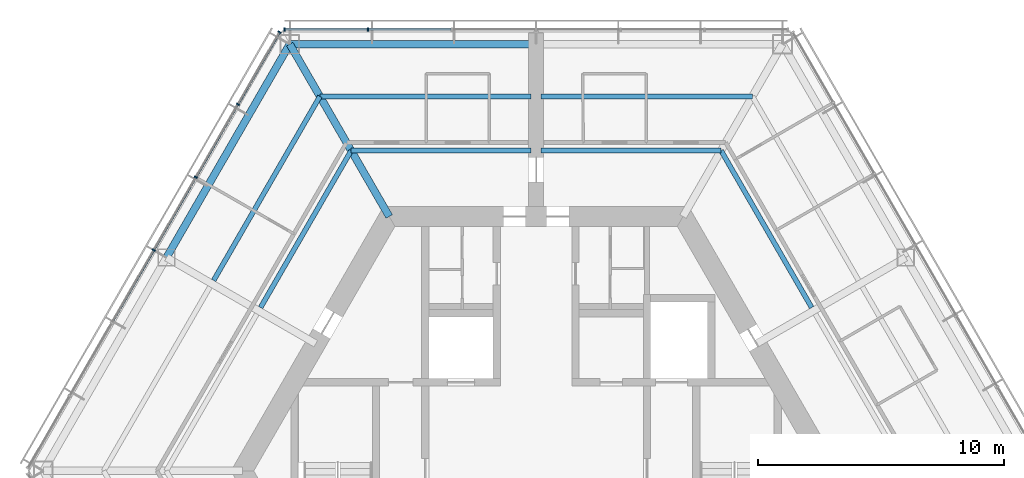
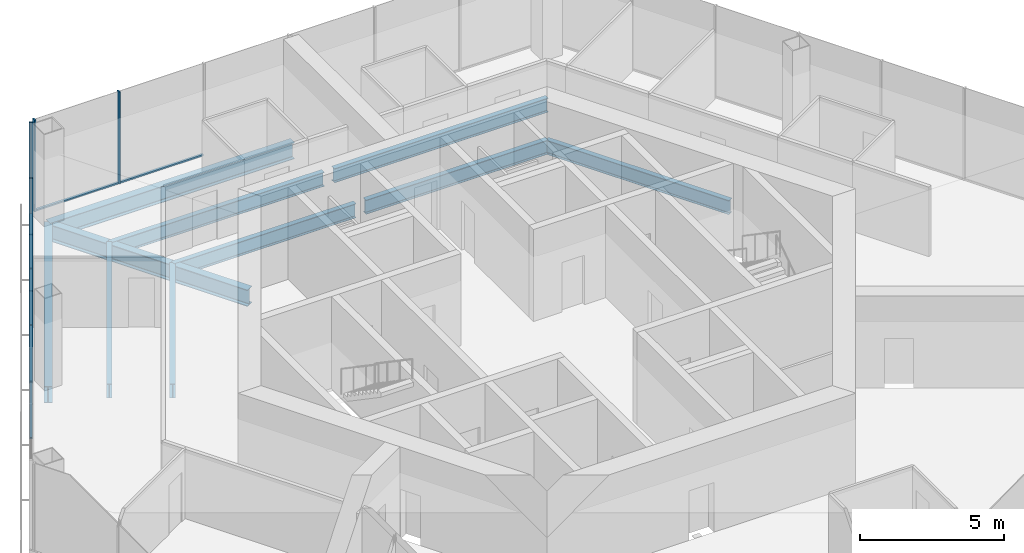
# One storey, part 6 of 15: 12 members, 10 beams, 2 elements without a shape of their own.
"""IFC4 building model written with IfcOpenShell, lengths in metres."""

from ifc_helpers import new_model, si_unit, direction, frame, origin, origin_2d, place, context, subcontext, project, spatial, rectangle, i_section, extrude, material, material_profile, profile_set, type_object, element, aggregate, save


model = new_model("IFC4")

# Units and contexts
model_context = context("Model", 3, precision=1e-05, world=origin(), true_north=direction((0.0, 1.0)))
body_context = subcontext(model_context, "Body", "Model", "MODEL_VIEW")
ifc_project = project(units=[si_unit("LENGTHUNIT", "METRE"), si_unit("AREAUNIT", "SQUARE_METRE"), si_unit("VOLUMEUNIT", "CUBIC_METRE"), si_unit("PLANEANGLEUNIT", "RADIAN"), si_unit("MASSUNIT", "GRAM", prefix="KILO")], contexts=[model_context])

# Site, building, storey
site_placement = place(None, origin())
site = spatial("IfcSite", under=ifc_project, at=site_placement, CompositionType="ELEMENT")
building_placement = place(site_placement, origin())
building = spatial("IfcBuilding", under=site, at=building_placement, Name="Kasaneha Research Tower", CompositionType="ELEMENT")
storey_placement = place(building_placement, frame((0.0, 0.0, 236.199951171875)))
storey = spatial("IfcBuildingStorey", under=building, at=storey_placement, Name="L59", CompositionType="ELEMENT", Elevation=236.199951171875)

# Beams
ifc_material_1 = material(Name="Steel SN490B", Category="steel")
ifc_material_profile_1 = material_profile(ifc_material_1, i_section(OverallWidth=0.199951171875, OverallDepth=0.60009765625, WebThickness=0.010986328125, FlangeThickness=0.01708984375, FilletRadius=0.012939453125, at=origin_2d()), Name="H-600x200x11x17")
ifc_profile_set_1 = profile_set([ifc_material_profile_1], Name="Steel SN490B")
beam_type_1 = type_object("IfcBeamType", Name="B1-3 secondary beam H-600x200x11x17", PredefinedType="JOIST", material=ifc_profile_set_1)
beam_1_placement = place(storey_placement, frame((7.505615234375, 13.0, -0.449951171875), z_axis=(0.499994443168, -0.866028611999, 0.0), x_axis=(0.866028611999, 0.499994443168, 0.0)))
element("IfcBeam", 1, at=beam_1_placement, inside=storey, type_object=beam_type_1, Name="Secondary beam RS030R1 L59", PredefinedType="JOIST", context=body_context, shape_type="SweptSolid", body=[
    extrude(i_section(OverallWidth=0.199951171875, OverallDepth=0.60009765625, WebThickness=0.010986328125, FlangeThickness=0.01708984375, FilletRadius=0.012939453125, at=origin_2d()), origin(), (0.0, 0.0, 1.0), 7.35546875),
])
beam_2_placement = place(storey_placement, frame((7.505615234375, 13.0, -0.449951171875), z_axis=(-1.0, 0.0, 0.0), x_axis=(0.0, -1.0, 0.0)))
element("IfcBeam", 2, at=beam_2_placement, inside=storey, type_object=beam_type_1, Name="Secondary beam RS090L1 L59", PredefinedType="JOIST", context=body_context, shape_type="SweptSolid", body=[
    extrude(i_section(OverallWidth=0.199951171875, OverallDepth=0.60009765625, WebThickness=0.010986328125, FlangeThickness=0.01708984375, FilletRadius=0.012939453125, at=origin_2d()), origin(), (0.0, 0.0, 1.0), 7.3056640625),
])
beam_3_placement = place(storey_placement, frame((8.775634765625, 15.199951171875, -0.449951171875), z_axis=(-1.0, 0.0, 0.0), x_axis=(0.0, -1.0, 0.0)))
element("IfcBeam", 3, at=beam_3_placement, inside=storey, type_object=beam_type_1, Name="Secondary beam RS090L2 L59", PredefinedType="JOIST", context=body_context, shape_type="SweptSolid", body=[
    extrude(i_section(OverallWidth=0.199951171875, OverallDepth=0.60009765625, WebThickness=0.010986328125, FlangeThickness=0.01708984375, FilletRadius=0.012939453125, at=origin_2d()), origin(), (0.0, 0.0, 1.0), 8.57568359375),
])
beam_4_placement = place(storey_placement, frame((-7.505615234375, 13.0, -0.449951171875), z_axis=(1.0, 0.0, 0.0), x_axis=(0.0, 1.0, 0.0)))
element("IfcBeam", 4, at=beam_4_placement, inside=storey, type_object=beam_type_1, Name="Secondary beam RS090R1 L59", PredefinedType="JOIST", context=body_context, shape_type="SweptSolid", body=[
    extrude(i_section(OverallWidth=0.199951171875, OverallDepth=0.60009765625, WebThickness=0.010986328125, FlangeThickness=0.01708984375, FilletRadius=0.012939453125, at=origin_2d()), origin(), (0.0, 0.0, 1.0), 7.3056640625),
])
beam_5_placement = place(storey_placement, frame((-8.775634765625, 15.199951171875, -0.449951171875), z_axis=(1.0, 0.0, 0.0), x_axis=(0.0, 1.0, 0.0)))
element("IfcBeam", 5, at=beam_5_placement, inside=storey, type_object=beam_type_1, Name="Secondary beam RS090R2 L59", PredefinedType="JOIST", context=body_context, shape_type="SweptSolid", body=[
    extrude(i_section(OverallWidth=0.199951171875, OverallDepth=0.60009765625, WebThickness=0.010986328125, FlangeThickness=0.01708984375, FilletRadius=0.012939453125, at=origin_2d()), origin(), (0.0, 0.0, 1.0), 8.57568359375),
])
beam_6_placement = place(storey_placement, frame((-7.505615234375, 13.0, -0.449951171875), z_axis=(-0.499994443168, -0.866028611999, 0.0), x_axis=(0.866028611999, -0.499994443168, 0.0)))
element("IfcBeam", 6, at=beam_6_placement, inside=storey, type_object=beam_type_1, Name="Secondary beam RS150L1 L59", PredefinedType="JOIST", context=body_context, shape_type="SweptSolid", body=[
    extrude(i_section(OverallWidth=0.199951171875, OverallDepth=0.60009765625, WebThickness=0.010986328125, FlangeThickness=0.01708984375, FilletRadius=0.012939453125, at=origin_2d()), origin(), (0.0, 0.0, 1.0), 7.35546875),
])
beam_7_placement = place(storey_placement, frame((-8.775634765625, 15.199951171875, -0.449951171875), z_axis=(-0.500017275495, -0.866015429543, 0.0), x_axis=(0.866015429543, -0.500017275495, 0.0)))
element("IfcBeam", 7, at=beam_7_placement, inside=storey, type_object=beam_type_1, Name="Secondary beam RS150L2 L59", PredefinedType="JOIST", context=body_context, shape_type="SweptSolid", body=[
    extrude(i_section(OverallWidth=0.199951171875, OverallDepth=0.60009765625, WebThickness=0.010986328125, FlangeThickness=0.01708984375, FilletRadius=0.012939453125, at=origin_2d()), origin(), (0.0, 0.0, 1.0), 8.625732421875),
])

# Curtain wall, members
ifc_material_2 = material(Name="Glass and aluminium", Category="aluminium")
curtain_wall_type = type_object("IfcCurtainWallType", Name="High-rise office curtain wall", PredefinedType="USERDEFINED", material=ifc_material_2)
curtain_wall_1_placement = place(storey_placement, origin())
curtain_wall_1 = element("IfcCurtainWall", 8, at=curtain_wall_1_placement, inside=storey, type_object=curtain_wall_type, Name="CW-O3 L59 run 02a", ObjectType="UNITISED CURTAIN WALL", PredefinedType="USERDEFINED")
ifc_material_3 = material(Name="Aluminium 6063-T6", Category="aluminium")
ifc_material_profile_2 = material_profile(ifc_material_3, rectangle(XDim=0.06005859375, YDim=0.139892578125, at=origin_2d()), Name="CW-O3 mullion 60x140")
ifc_profile_set_2 = profile_set([ifc_material_profile_2], Name="Aluminium 6063-T6")
member_type_1 = type_object("IfcMemberType", Name="CW-O3 mullion", PredefinedType="MULLION", material=ifc_profile_set_2)
member_1_placement = place(storey_placement, frame((-6.8310546875, 17.92041015625, 0.0), z_axis=(0.0, 0.0, 1.0), x_axis=(-1.0, 0.0, 0.0)))
member_1 = element("IfcMember", 9, at=member_1_placement, type_object=member_type_1, Name="CW-O3 mullion 6", PredefinedType="MULLION", context=body_context, shape_type="SweptSolid", body=[
    extrude(rectangle(XDim=0.06005859375, YDim=0.139892578125, at=origin_2d()), origin(), (0.0, 0.0, 1.0), 3.900146484375),
])
member_2_placement = place(storey_placement, frame((-10.21630859375, 17.92041015625, 0.0), z_axis=(0.0, 0.0, 1.0), x_axis=(-1.0, 0.0, 0.0)))
member_2 = element("IfcMember", 10, at=member_2_placement, type_object=member_type_1, Name="CW-O3 mullion 7", PredefinedType="MULLION", context=body_context, shape_type="SweptSolid", body=[
    extrude(rectangle(XDim=0.06005859375, YDim=0.139892578125, at=origin_2d()), origin(), (0.0, 0.0, 1.0), 3.900146484375),
])

curtain_wall_2_placement = place(storey_placement, origin())
curtain_wall_2 = element("IfcCurtainWall", 11, at=curtain_wall_2_placement, inside=storey, type_object=curtain_wall_type, Name="CW-O3 L59 run 03a", ObjectType="UNITISED CURTAIN WALL", PredefinedType="USERDEFINED")
member_3_placement = place(storey_placement, frame((-10.411376953125, 17.807861328125, 0.0), z_axis=(0.0, 0.0, 1.0), x_axis=(-0.499999995722, -0.866025406254, 0.0)))
member_3 = element("IfcMember", 12, at=member_3_placement, type_object=member_type_1, Name="CW-O3 mullion 1", PredefinedType="MULLION", context=body_context, shape_type="SweptSolid", body=[
    extrude(rectangle(XDim=0.06005859375, YDim=0.139892578125, at=origin_2d()), origin(), (0.0, 0.0, 1.0), 3.900146484375),
])
member_4_placement = place(storey_placement, frame((-12.104248046875, 14.8759765625, 0.0), z_axis=(0.0, 0.0, 1.0), x_axis=(-0.499999995722, -0.866025406254, 0.0)))
member_4 = element("IfcMember", 13, at=member_4_placement, type_object=member_type_1, Name="CW-O3 mullion 2", PredefinedType="MULLION", context=body_context, shape_type="SweptSolid", body=[
    extrude(rectangle(XDim=0.06005859375, YDim=0.139892578125, at=origin_2d()), origin(), (0.0, 0.0, 1.0), 3.900146484375),
])
member_5_placement = place(storey_placement, frame((-13.811767578125, 11.918212890625, 0.0), z_axis=(0.0, 0.0, 1.0), x_axis=(-0.499999995722, -0.866025406254, 0.0)))
member_5 = element("IfcMember", 14, at=member_5_placement, type_object=member_type_1, Name="CW-O3 mullion 3", PredefinedType="MULLION", context=body_context, shape_type="SweptSolid", body=[
    extrude(rectangle(XDim=0.06005859375, YDim=0.139892578125, at=origin_2d()), origin(), (0.0, 0.0, 1.0), 3.900146484375),
])
member_6_placement = place(storey_placement, frame((-15.51953125, 8.960205078125, 0.0), z_axis=(0.0, 0.0, 1.0), x_axis=(-0.499999995722, -0.866025406254, 0.0)))
member_6 = element("IfcMember", 15, at=member_6_placement, type_object=member_type_1, Name="CW-O3 mullion 4", PredefinedType="MULLION", context=body_context, shape_type="SweptSolid", body=[
    extrude(rectangle(XDim=0.06005859375, YDim=0.139892578125, at=origin_2d()), origin(), (0.0, 0.0, 1.0), 3.900146484375),
])

# Member
ifc_material_4 = material(Name="Aluminium 6063-T6", Category="aluminium")
ifc_material_profile_3 = material_profile(ifc_material_4, rectangle(XDim=0.10009765625, YDim=0.06005859375, at=origin_2d()), Name="CW-O3 transom 100x60")
ifc_profile_set_3 = profile_set([ifc_material_profile_3], Name="Aluminium 6063-T6")
member_type_2 = type_object("IfcMemberType", Name="CW-O3 transom", PredefinedType="USERDEFINED", material=ifc_profile_set_3)
member_7_placement = place(storey_placement, frame((-3.445556640625, 17.92041015625, 0.030029296875), z_axis=(-1.0, 0.0, 0.0), x_axis=(0.0, -1.0, 0.0)))
member_7 = element("IfcMember", 16, at=member_7_placement, type_object=member_type_2, Name="CW-O3 transom 5", ObjectType="TRANSOM", PredefinedType="USERDEFINED", context=body_context, shape_type="SweptSolid", body=[
    extrude(rectangle(XDim=0.10009765625, YDim=0.06005859375, at=origin_2d()), origin(), (0.0, 0.0, 1.0), 3.35546875),
])

member_8_placement = place(storey_placement, frame((-6.86083984375, 17.92041015625, 0.030029296875), z_axis=(-1.0, 0.0, 0.0), x_axis=(0.0, -1.0, 0.0)))
member_8 = element("IfcMember", 17, at=member_8_placement, type_object=member_type_2, Name="CW-O3 transom 6", ObjectType="TRANSOM", PredefinedType="USERDEFINED", context=body_context, shape_type="SweptSolid", body=[
    extrude(rectangle(XDim=0.10009765625, YDim=0.06005859375, at=origin_2d()), origin(), (0.0, 0.0, 1.0), 3.32568359375),
])

aggregate(curtain_wall_1, [member_1, member_2, member_7, member_8])

member_9_placement = place(storey_placement, frame((-10.426513671875, 17.781982421875, 0.030029296875), z_axis=(-0.49997666526, -0.866038875684, 0.0), x_axis=(0.866038875684, -0.49997666526, 0.0)))
member_9 = element("IfcMember", 18, at=member_9_placement, type_object=member_type_2, Name="CW-O3 transom 1", ObjectType="TRANSOM", PredefinedType="USERDEFINED", context=body_context, shape_type="SweptSolid", body=[
    extrude(rectangle(XDim=0.10009765625, YDim=0.06005859375, at=origin_2d()), origin(), (0.0, 0.0, 1.0), 3.325439453125),
])

member_10_placement = place(storey_placement, frame((-12.119140625, 14.85009765625, 0.030029296875), z_axis=(-0.499989072476, -0.866031712701, 0.0), x_axis=(0.866031712701, -0.499989072476, 0.0)))
member_10 = element("IfcMember", 19, at=member_10_placement, type_object=member_type_2, Name="CW-O3 transom 2", ObjectType="TRANSOM", PredefinedType="USERDEFINED", context=body_context, shape_type="SweptSolid", body=[
    extrude(rectangle(XDim=0.10009765625, YDim=0.06005859375, at=origin_2d()), origin(), (0.0, 0.0, 1.0), 3.35546875),
])

member_11_placement = place(storey_placement, frame((-13.826904296875, 11.89208984375, 0.030029296875), z_axis=(-0.500020578564, -0.866013522419, 0.0), x_axis=(0.866013522419, -0.500020578564, 0.0)))
member_11 = element("IfcMember", 20, at=member_11_placement, type_object=member_type_2, Name="CW-O3 transom 3", ObjectType="TRANSOM", PredefinedType="USERDEFINED", context=body_context, shape_type="SweptSolid", body=[
    extrude(rectangle(XDim=0.10009765625, YDim=0.06005859375, at=origin_2d()), origin(), (0.0, 0.0, 1.0), 3.355224609375),
])

member_12_placement = place(storey_placement, frame((-15.53466796875, 8.934326171875, 0.030029296875), z_axis=(-0.499989072476, -0.866031712701, 0.0), x_axis=(0.866031712701, -0.499989072476, 0.0)))
member_12 = element("IfcMember", 21, at=member_12_placement, type_object=member_type_2, Name="CW-O3 transom 4", ObjectType="TRANSOM", PredefinedType="USERDEFINED", context=body_context, shape_type="SweptSolid", body=[
    extrude(rectangle(XDim=0.10009765625, YDim=0.06005859375, at=origin_2d()), origin(), (0.0, 0.0, 1.0), 3.35546875),
])

aggregate(curtain_wall_2, [member_3, member_4, member_5, member_6, member_9, member_10, member_11, member_12])

# Beams
ifc_material_5 = material(Name="Steel SN490B", Category="steel")
ifc_material_profile_4 = material_profile(ifc_material_5, i_section(OverallWidth=0.300048828125, OverallDepth=0.699951171875, WebThickness=0.012939453125, FlangeThickness=0.02392578125, FilletRadius=0.01806640625, at=origin_2d()), Name="H-700x300x13x24")
ifc_profile_set_4 = profile_set([ifc_material_profile_4], Name="Steel SN490B")
beam_type_2 = type_object("IfcBeamType", Name="G1-3 radial girder H-700x300x13x24", PredefinedType="BEAM", material=ifc_profile_set_4)
beam_8_placement = place(storey_placement, frame((-5.961181640625, 10.324951171875, -0.5), z_axis=(-0.49999105496, 0.866030568144, 0.0), x_axis=(-0.866030568144, -0.49999105496, 0.0)))
element("IfcBeam", 22, at=beam_8_placement, inside=storey, type_object=beam_type_2, Name="Radial girder RV120 L59", PredefinedType="BEAM", context=body_context, shape_type="SweptSolid", body=[
    extrude(i_section(OverallWidth=0.300048828125, OverallDepth=0.699951171875, WebThickness=0.012939453125, FlangeThickness=0.02392578125, FilletRadius=0.01806640625, at=origin_2d()), origin(), (0.0, 0.0, 1.0), 8.077880859375),
])
ifc_material_6 = material(Name="Steel SN490B", Category="steel")
ifc_material_profile_5 = material_profile(ifc_material_6, i_section(OverallWidth=0.300048828125, OverallDepth=0.69189453125, WebThickness=0.012939453125, FlangeThickness=0.02001953125, FilletRadius=0.01806640625, at=origin_2d()), Name="H-692x300x13x20")
ifc_profile_set_5 = profile_set([ifc_material_profile_5], Name="Steel SN490B")
beam_type_3 = type_object("IfcBeamType", Name="G3-3 plate edge girder H-692x300x13x20", PredefinedType="BEAM", material=ifc_profile_set_5)
beam_9_placement = place(storey_placement, frame((-10.0, 17.320556640625, -0.495849609375), z_axis=(1.0, 0.0, 0.0), x_axis=(0.0, 1.0, 0.0)))
element("IfcBeam", 23, at=beam_9_placement, inside=storey, type_object=beam_type_3, Name="Plate edge girder PEAN L59", PredefinedType="BEAM", context=body_context, shape_type="SweptSolid", body=[
    extrude(i_section(OverallWidth=0.300048828125, OverallDepth=0.69189453125, WebThickness=0.012939453125, FlangeThickness=0.02001953125, FilletRadius=0.01806640625, at=origin_2d()), origin(), (0.0, 0.0, 1.0), 9.800048828125),
])
ifc_material_7 = material(Name="Steel SN490B", Category="steel")
ifc_material_profile_6 = material_profile(ifc_material_7, i_section(OverallWidth=0.300048828125, OverallDepth=0.69189453125, WebThickness=0.012939453125, FlangeThickness=0.02001953125, FilletRadius=0.01806640625, at=origin_2d()), Name="H-692x300x13x20")
ifc_profile_set_6 = profile_set([ifc_material_profile_6], Name="Steel SN490B")
beam_type_4 = type_object("IfcBeamType", Name="SB1-3 spandrel beam H-692x300x13x20", PredefinedType="SPANDREL", material=ifc_profile_set_6)
beam_10_placement = place(storey_placement, frame((-10.0, 17.320556640625, -0.495849609375), z_axis=(-0.499993662806, -0.866029062534, 0.0), x_axis=(0.866029062534, -0.499993662806, 0.0)))
element("IfcBeam", 24, at=beam_10_placement, inside=storey, type_object=beam_type_4, Name="Spandrel beam SR150L L59", PredefinedType="SPANDREL", context=body_context, shape_type="SweptSolid", body=[
    extrude(i_section(OverallWidth=0.300048828125, OverallDepth=0.69189453125, WebThickness=0.012939453125, FlangeThickness=0.02001953125, FilletRadius=0.01806640625, at=origin_2d()), origin(), (0.0, 0.0, 1.0), 10.000244140625),
])

save(model, "model.ifc")
